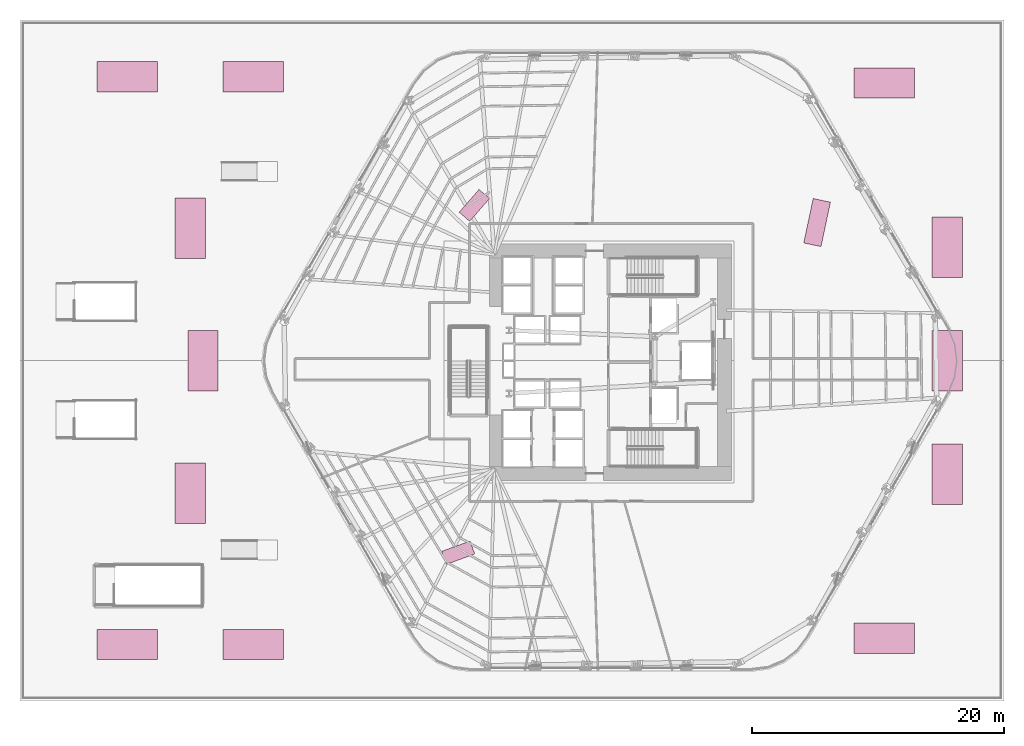
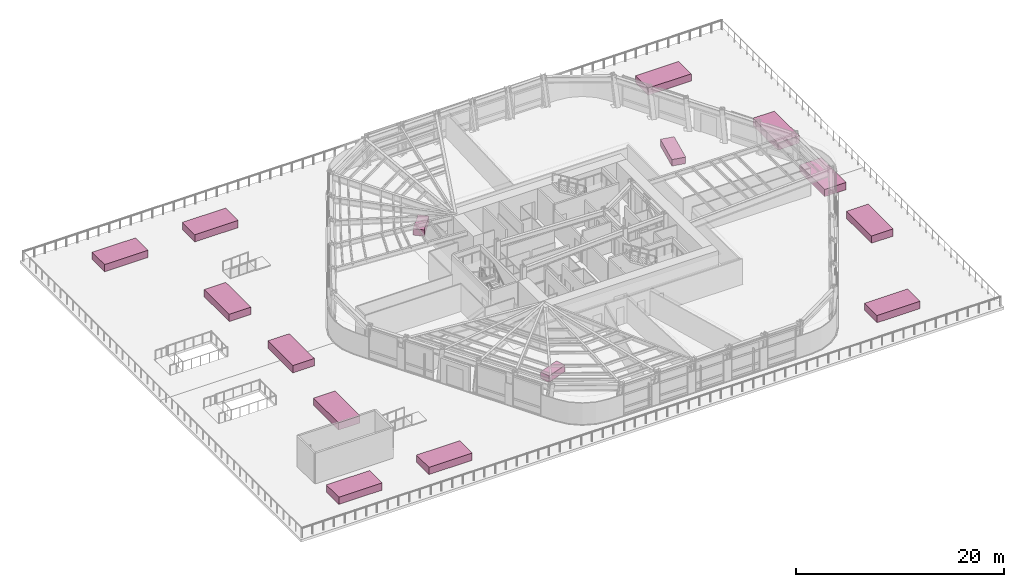
# One storey, part 18 of 18: 15 furniture elements.
"""IFC4 building model written with IfcOpenShell, lengths in metres."""

from ifc_helpers import new_model, si_unit, direction, frame, origin, origin_2d, place, context, subcontext, project, spatial, rectangle, extrude, material, type_object, element, save


model = new_model("IFC4")

# Units and contexts
model_context = context("Model", 3, precision=1e-05, world=origin(), true_north=direction((0.0, 1.0)))
body_context = subcontext(model_context, "Body", "Model", "MODEL_VIEW")
ifc_project = project(units=[si_unit("LENGTHUNIT", "METRE"), si_unit("AREAUNIT", "SQUARE_METRE"), si_unit("VOLUMEUNIT", "CUBIC_METRE"), si_unit("PLANEANGLEUNIT", "RADIAN"), si_unit("MASSUNIT", "GRAM", prefix="KILO")], contexts=[model_context])

# Site, building, storey
site_placement = place(None, origin())
site = spatial("IfcSite", under=ifc_project, at=site_placement, CompositionType="ELEMENT")
building_placement = place(site_placement, origin())
building = spatial("IfcBuilding", under=site, at=building_placement, Name="Valkerne Bourse Tower", CompositionType="ELEMENT")
storey_placement = place(building_placement, frame((0.0, 0.0, 24.0)))
storey = spatial("IfcBuildingStorey", under=building, at=storey_placement, Name="L05", CompositionType="ELEMENT", Elevation=24.0)

# Furniture
ifc_material_1 = material(Name="Architectural White Oak Timber", Category="wood")
furniture_type_1 = type_object("IfcFurnitureType", Name="FURN-CONF-3600", AssemblyPlace="NOTDEFINED", PredefinedType="TABLE", material=ifc_material_1)
furniture_placement = place(storey_placement, frame((63.18408203125, 37.943115234375, 0.044921875), z_axis=(0.0, 0.0, 1.0), x_axis=(0.207911690818, 0.978147600734, 0.0)))
element("IfcFurniture", 1, at=furniture_placement, inside=storey, type_object=furniture_type_1, Name="L05 Suite Worktable 07", PredefinedType="TABLE", context=body_context, shape_type="SweptSolid", body=[
    extrude(rectangle(XDim=3.60009765625, YDim=1.39990234375, at=origin_2d()), origin(), (0.0, 0.0, 1.0), 0.760009765625),
])
furniture_type_2 = type_object("IfcFurnitureType", Name="FURN-DESK-2400", AssemblyPlace="NOTDEFINED", PredefinedType="DESK", material=ifc_material_1)
for number, where, z_axis, x_axis, name in (
    (2, (34.736083984375, 11.77392578125, 0.044921875), (0.0, 0.0, 1.0), (0.939692620786, 0.342020143326, 0.0), "L05 Suite Worktable 05"),
    (3, (36.014892578125, 39.304931640625, 0.044921875), (0.0, 0.0, 1.0), (0.656059028991, 0.754709580223, 0.0), "L05 Suite Worktable 06"),
):
    element("IfcFurniture", number, at=place(storey_placement, frame(where, z_axis=z_axis, x_axis=x_axis)), inside=storey, type_object=furniture_type_2, Name=name, PredefinedType="DESK", context=body_context, shape_type="SweptSolid", body=[
        extrude(rectangle(XDim=2.39990234375, YDim=1.10009765625, at=origin_2d()), origin(), (0.0, 0.0, 1.0), 0.75),
    ])
ifc_material_2 = material(Name="Indiana Limestone Cladding", Category="masonry")
furniture_type_3 = type_object("IfcFurnitureType", Name="FURN-GARDEN-PLANTER", AssemblyPlace="NOTDEFINED", PredefinedType="USERDEFINED", material=ifc_material_2)
for number, where, z_axis, x_axis, name in (
    (4, (8.5, 4.5, 0.0), (0.0, 0.0, 1.0), (1.0, 0.0, 0.0), "L05 Raised Public Garden Limestone Planter 01"),
    (5, (18.5, 4.5, 0.0), (0.0, 0.0, 1.0), (1.0, 0.0, 0.0), "L05 Raised Public Garden Limestone Planter 02"),
    (6, (8.5, 49.5, 0.0), (0.0, 0.0, 1.0), (1.0, 0.0, 0.0), "L05 Raised Public Garden Limestone Planter 03"),
    (7, (18.5, 49.5, 0.0), (0.0, 0.0, 1.0), (1.0, 0.0, 0.0), "L05 Raised Public Garden Limestone Planter 04"),
    (8, (13.5, 16.5, 0.0), (0.0, 0.0, 1.0), (0.0, 1.0, 0.0), "L05 Raised Public Garden Limestone Planter 05"),
    (9, (13.5, 37.5, 0.0), (0.0, 0.0, 1.0), (0.0, 1.0, 0.0), "L05 Raised Public Garden Limestone Planter 06"),
    (10, (14.5, 27.0, 0.0), (0.0, 0.0, 1.0), (0.0, 1.0, 0.0), "L05 Raised Public Garden Limestone Planter 07"),
    (11, (68.5, 5.0, 0.0), (0.0, 0.0, 1.0), (1.0, 0.0, 0.0), "L05 Raised Public Garden Limestone Planter 08"),
    (12, (68.5, 49.0, 0.0), (0.0, 0.0, 1.0), (1.0, 0.0, 0.0), "L05 Raised Public Garden Limestone Planter 09"),
    (13, (73.5, 18.0, 0.0), (0.0, 0.0, 1.0), (0.0, 1.0, 0.0), "L05 Raised Public Garden Limestone Planter 10"),
    (14, (73.5, 36.0, 0.0), (0.0, 0.0, 1.0), (0.0, 1.0, 0.0), "L05 Raised Public Garden Limestone Planter 11"),
    (15, (73.5, 27.0, 0.0), (0.0, 0.0, 1.0), (0.0, 1.0, 0.0), "L05 Raised Public Garden Limestone Planter 12"),
):
    element("IfcFurniture", number, at=place(storey_placement, frame(where, z_axis=z_axis, x_axis=x_axis)), inside=storey, type_object=furniture_type_3, Name=name, ObjectType="PLANTER", PredefinedType="USERDEFINED", context=body_context, shape_type="SweptSolid", body=[
        extrude(rectangle(XDim=4.800048828125, YDim=2.39990234375, at=origin_2d()), origin(), (0.0, 0.0, 1.0), 0.85009765625),
    ])

save(model, "model.ifc")
